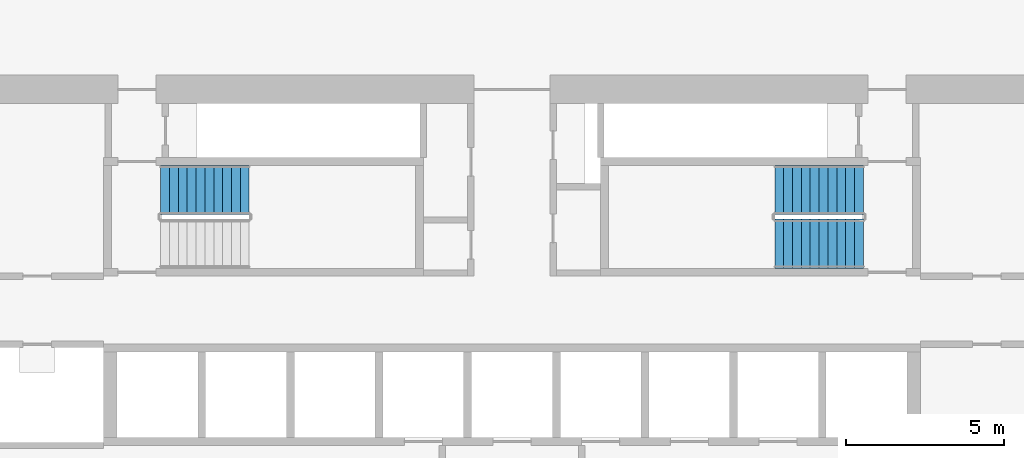
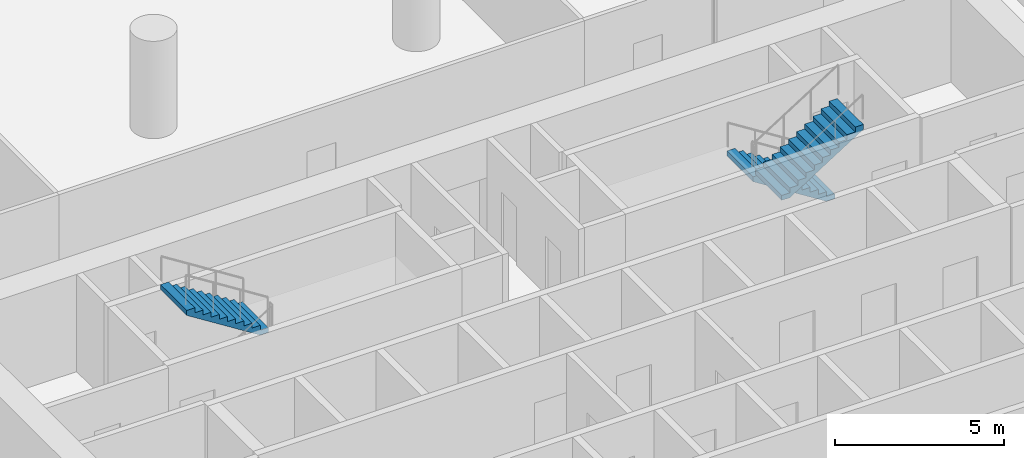
# One storey, part 9 of 10: 3 stair flights, 2 elements without a shape of their own.
"""IFC4 building model written with IfcOpenShell, lengths in metres."""

from ifc_helpers import new_model, si_unit, direction, frame, origin, place, context, subcontext, project, spatial, polyline, outline, extrude, material, type_object, element, aggregate, save


model = new_model("IFC4")

# Units and contexts
model_context = context("Model", 3, precision=1e-05, world=origin(), true_north=direction((0.0, 1.0)))
body_context = subcontext(model_context, "Body", "Model", "MODEL_VIEW")
ifc_project = project(units=[si_unit("LENGTHUNIT", "METRE"), si_unit("AREAUNIT", "SQUARE_METRE"), si_unit("VOLUMEUNIT", "CUBIC_METRE"), si_unit("PLANEANGLEUNIT", "RADIAN"), si_unit("MASSUNIT", "GRAM", prefix="KILO")], contexts=[model_context])

# Site, building, storey
site_placement = place(None, origin())
site = spatial("IfcSite", under=ifc_project, at=site_placement, CompositionType="ELEMENT")
building_placement = place(site_placement, origin())
building = spatial("IfcBuilding", under=site, at=building_placement, Name="Dhurran Vertical Campus", CompositionType="ELEMENT")
storey_placement = place(building_placement, frame((0.0, 0.0, 37.800048828125)))
storey = spatial("IfcBuildingStorey", under=building, at=storey_placement, Name="L08", CompositionType="ELEMENT", Elevation=37.800048828125)

# Stair, stair flight
ifc_material_1 = material(Name="Concrete C40/50", Category="concrete")
stair_type = type_object("IfcStairType", Name="co-ST-CORE", PredefinedType="HALF_TURN_STAIR", material=ifc_material_1)
stair_1_placement = place(storey_placement, origin())
stair_1 = element("IfcStair", 1, at=stair_1_placement, inside=storey, type_object=stair_type, Name="L08 Protected exit stair ST1", PredefinedType="HALF_TURN_STAIR")
ifc_material_2 = material(Name="Concrete C40/50", Category="concrete")
stair_flight_type = type_object("IfcStairFlightType", Name="co-SFL-RC", PredefinedType="STRAIGHT", material=ifc_material_2)
stair_flight_1_placement = place(storey_placement, frame((-8.300048828125, 9.875, 1.949951171875), z_axis=(0.0, 0.0, 1.0), x_axis=(-1.0, 0.0, 0.0)))
stair_flight_1 = element("IfcStairFlight", 2, at=stair_flight_1_placement, type_object=stair_flight_type, Name="ST1 flight 2", NumberOfRisers=11, NumberOfTreads=10, PredefinedType="STRAIGHT", RiserHeight=0.177272727, TreadLength=0.28, context=body_context, shape_type="SweptSolid", body=[
    extrude(outline(polyline([(0.0, 0.0), (0.0, 0.17724609375), (0.280029296875, 0.17724609375), (0.280029296875, 0.3544921875), (0.56005859375, 0.3544921875), (0.56005859375, 0.53173828125), (0.840087890625, 0.53173828125), (0.840087890625, 0.708984375), (1.1201171875, 0.708984375), (1.1201171875, 0.886474609375), (1.39990234375, 0.886474609375), (1.39990234375, 1.063720703125), (1.679931640625, 1.063720703125), (1.679931640625, 1.240966796875), (1.9599609375, 1.240966796875), (1.9599609375, 1.418212890625), (2.239990234375, 1.418212890625), (2.239990234375, 1.595458984375), (2.52001953125, 1.595458984375), (2.52001953125, 1.772705078125), (2.800048828125, 1.772705078125), (2.800048828125, 1.949951171875), (2.800048828125, 1.59521484375), (0.2802734375, 0.0), (0.0, 0.0)])), frame((0.0, 0.77490234375, 0.0), z_axis=(0.0, -1.0, 0.0), x_axis=(1.0, 0.0, 0.0)), (0.0, 0.0, 1.0), 1.550048828125),
])
aggregate(stair_1, [stair_flight_1])

# Stair, stair flights
stair_2_placement = place(storey_placement, origin())
stair_2 = element("IfcStair", 3, at=stair_2_placement, inside=storey, type_object=stair_type, Name="L08 Protected exit stair ST2", PredefinedType="HALF_TURN_STAIR")
stair_flight_2_placement = place(storey_placement, frame((11.10009765625, 9.875, 0.0), z_axis=(0.0, 0.0, 1.0), x_axis=(-1.0, 0.0, 0.0)))
stair_flight_2 = element("IfcStairFlight", 4, at=stair_flight_2_placement, type_object=stair_flight_type, Name="ST2 flight 1", NumberOfRisers=11, NumberOfTreads=10, PredefinedType="STRAIGHT", RiserHeight=0.177272727, TreadLength=0.28, context=body_context, shape_type="SweptSolid", body=[
    extrude(outline(polyline([(0.0, 0.0), (0.0, 0.17724609375), (0.280029296875, 0.17724609375), (0.280029296875, 0.3544921875), (0.56005859375, 0.3544921875), (0.56005859375, 0.53173828125), (0.840087890625, 0.53173828125), (0.840087890625, 0.708984375), (1.1201171875, 0.708984375), (1.1201171875, 0.886474609375), (1.39990234375, 0.886474609375), (1.39990234375, 1.063720703125), (1.679931640625, 1.063720703125), (1.679931640625, 1.240966796875), (1.9599609375, 1.240966796875), (1.9599609375, 1.418212890625), (2.239990234375, 1.418212890625), (2.239990234375, 1.595458984375), (2.52001953125, 1.595458984375), (2.52001953125, 1.772705078125), (2.800048828125, 1.772705078125), (2.800048828125, 1.949951171875), (2.800048828125, 1.59521484375), (0.2802734375, 0.0), (0.0, 0.0)])), frame((0.0, 0.77490234375, 0.0), z_axis=(0.0, -1.0, 0.0), x_axis=(1.0, 0.0, 0.0)), (0.0, 0.0, 1.0), 1.550048828125),
])
stair_flight_3_placement = place(storey_placement, frame((8.300048828125, 8.175048828125, 1.949951171875), z_axis=(0.0, 0.0, 1.0), x_axis=(1.0, 0.0, 0.0)))
stair_flight_3 = element("IfcStairFlight", 5, at=stair_flight_3_placement, type_object=stair_flight_type, Name="ST2 flight 2", NumberOfRisers=11, NumberOfTreads=10, PredefinedType="STRAIGHT", RiserHeight=0.177272727, TreadLength=0.28, context=body_context, shape_type="SweptSolid", body=[
    extrude(outline(polyline([(0.0, 0.0), (0.0, 0.17724609375), (0.280029296875, 0.17724609375), (0.280029296875, 0.3544921875), (0.56005859375, 0.3544921875), (0.56005859375, 0.53173828125), (0.840087890625, 0.53173828125), (0.840087890625, 0.708984375), (1.1201171875, 0.708984375), (1.1201171875, 0.886474609375), (1.39990234375, 0.886474609375), (1.39990234375, 1.063720703125), (1.679931640625, 1.063720703125), (1.679931640625, 1.240966796875), (1.9599609375, 1.240966796875), (1.9599609375, 1.418212890625), (2.239990234375, 1.418212890625), (2.239990234375, 1.595458984375), (2.52001953125, 1.595458984375), (2.52001953125, 1.772705078125), (2.800048828125, 1.772705078125), (2.800048828125, 1.949951171875), (2.800048828125, 1.59521484375), (0.2802734375, 0.0), (0.0, 0.0)])), frame((0.0, 0.77490234375, 0.0), z_axis=(0.0, -1.0, 0.0), x_axis=(1.0, 0.0, 0.0)), (0.0, 0.0, 1.0), 1.550048828125),
])
aggregate(stair_2, [stair_flight_2, stair_flight_3])

save(model, "model.ifc")
